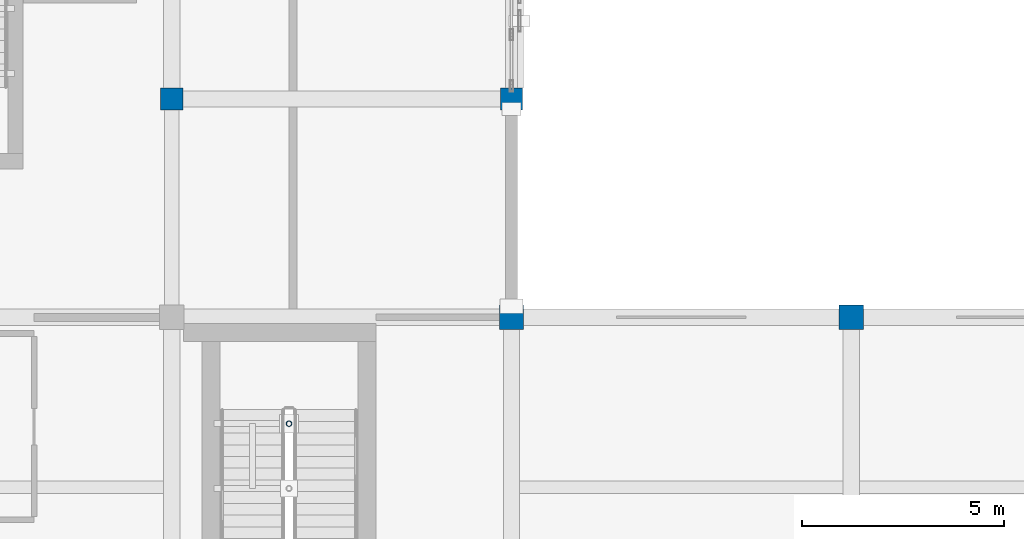
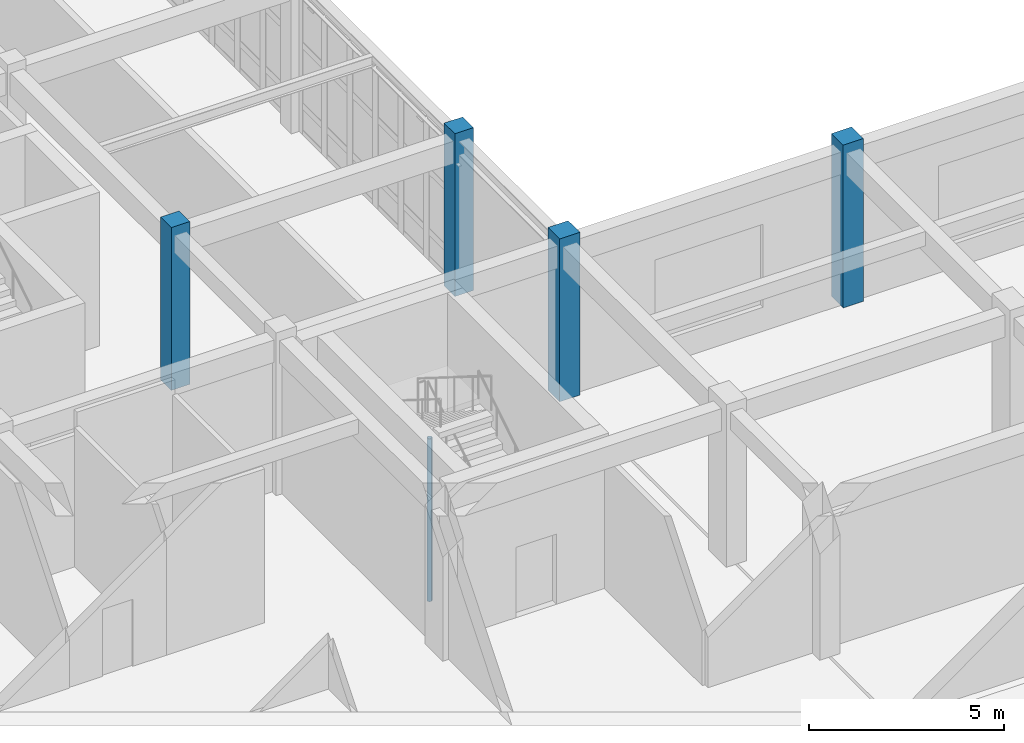
# One storey, part 7 of 93: 5 columns.
"""IFC4 building model written with IfcOpenShell, lengths in metres."""

from ifc_helpers import new_model, si_unit, direction, frame, origin, origin_2d, place, context, subcontext, project, spatial, rectangle, hollow_circle, extrude, material, material_profile, profile_set, type_object, element, save


model = new_model("IFC4")

# Units and contexts
model_context = context("Model", 3, precision=1e-05, world=origin(), true_north=direction((0.0, 1.0)))
body_context = subcontext(model_context, "Body", "Model", "MODEL_VIEW")
ifc_project = project(units=[si_unit("LENGTHUNIT", "METRE"), si_unit("AREAUNIT", "SQUARE_METRE"), si_unit("VOLUMEUNIT", "CUBIC_METRE"), si_unit("PLANEANGLEUNIT", "RADIAN"), si_unit("MASSUNIT", "GRAM", prefix="KILO")], contexts=[model_context])

# Site, building, storey
site_placement = place(None, origin())
site = spatial("IfcSite", under=ifc_project, at=site_placement, CompositionType="ELEMENT")
building_placement = place(site_placement, origin())
building = spatial("IfcBuilding", under=site, at=building_placement, Name="Krzemoval Escarpment Law Courts", CompositionType="ELEMENT")
storey_placement = place(building_placement, frame((0.0, 0.0, 10.199951171875)))
storey = spatial("IfcBuildingStorey", under=building, at=storey_placement, Name="L02", CompositionType="ELEMENT", Elevation=10.199951171875)

# Columns
ifc_material_1 = material(Name="Concrete C40/50", Category="concrete")
ifc_material_profile_1 = material_profile(ifc_material_1, rectangle(XDim=0.550048828125, YDim=0.550048828125, at=origin_2d()), Name="RC 550x550")
ifc_profile_set_1 = profile_set([ifc_material_profile_1], Name="Concrete C40/50")
column_type_1 = type_object("IfcColumnType", Name="COL-RC-550", PredefinedType="COLUMN", material=ifc_profile_set_1)
for number, where, z_axis, x_axis, name in (
    (1, (33.60009765625, 40.800048828125, 0.0), (0.0, 0.0, 1.0), (1.0, 0.0, 0.0), "Column FC-L02-0857"),
    (2, (42.0, 40.800048828125, 0.0), (0.0, 0.0, 1.0), (1.0, 0.0, 0.0), "Column FC-L02-0873"),
):
    element("IfcColumn", number, at=place(storey_placement, frame(where, z_axis=z_axis, x_axis=x_axis)), inside=storey, type_object=column_type_1, Name=name, PredefinedType="COLUMN", context=body_context, shape_type="SweptSolid", body=[
        extrude(rectangle(XDim=0.550048828125, YDim=0.550048828125, at=origin_2d()), origin(), (0.0, 0.0, 1.0), 5.10009765625),
    ])
ifc_material_2 = material(Name="Concrete C40/50", Category="concrete")
ifc_material_profile_2 = material_profile(ifc_material_2, rectangle(XDim=0.60009765625, YDim=0.60009765625, at=origin_2d()), Name="RC 600x600")
ifc_profile_set_2 = profile_set([ifc_material_profile_2], Name="Concrete C40/50")
column_type_2 = type_object("IfcColumnType", Name="COL-RC-600", PredefinedType="COLUMN", material=ifc_profile_set_2)
for number, where, z_axis, x_axis, name in (
    (3, (42.0, 35.39990234375, 0.0), (0.0, 0.0, 1.0), (1.0, 0.0, 0.0), "Column FC-L02-0872"),
    (4, (50.39990234375, 35.39990234375, 0.0), (0.0, 0.0, 1.0), (1.0, 0.0, 0.0), "Column FC-L02-0888"),
):
    element("IfcColumn", number, at=place(storey_placement, frame(where, z_axis=z_axis, x_axis=x_axis)), inside=storey, type_object=column_type_2, Name=name, PredefinedType="COLUMN", context=body_context, shape_type="SweptSolid", body=[
        extrude(rectangle(XDim=0.60009765625, YDim=0.60009765625, at=origin_2d()), origin(), (0.0, 0.0, 1.0), 5.10009765625),
    ])
ifc_material_3 = material(Name="Steel S355", Category="steel")
ifc_material_profile_3 = material_profile(ifc_material_3, hollow_circle(Radius=0.06982421875, WallThickness=0.008056640625, at=origin_2d()), Name="CHS 139.7x8")
ifc_profile_set_3 = profile_set([ifc_material_profile_3], Name="Steel S355")
column_type_3 = type_object("IfcColumnType", Name="COL-S355-CHS140", PredefinedType="COLUMN", material=ifc_profile_set_3)
column_placement = place(storey_placement, frame((36.5, 32.77001953125, -2.97998046875), z_axis=(0.0, 0.0, 1.0), x_axis=(1.0, 0.0, 0.0)))
element("IfcColumn", 5, at=column_placement, inside=storey, type_object=column_type_3, Name="Stair Well Post SCP-C7-L02-1", PredefinedType="COLUMN", context=body_context, shape_type="SweptSolid", body=[
    extrude(hollow_circle(Radius=0.06982421875, WallThickness=0.008056640625, at=origin_2d()), origin(), (0.0, 0.0, 1.0), 5.10009765625),
])

save(model, "model.ifc")
